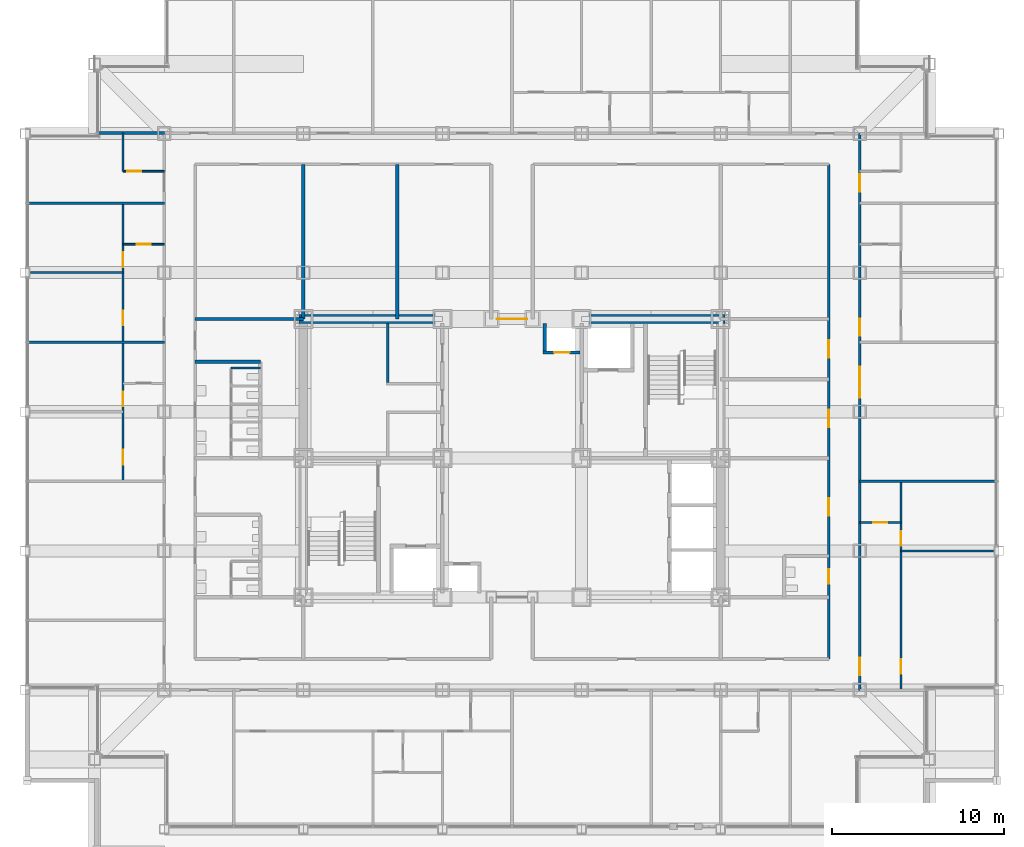
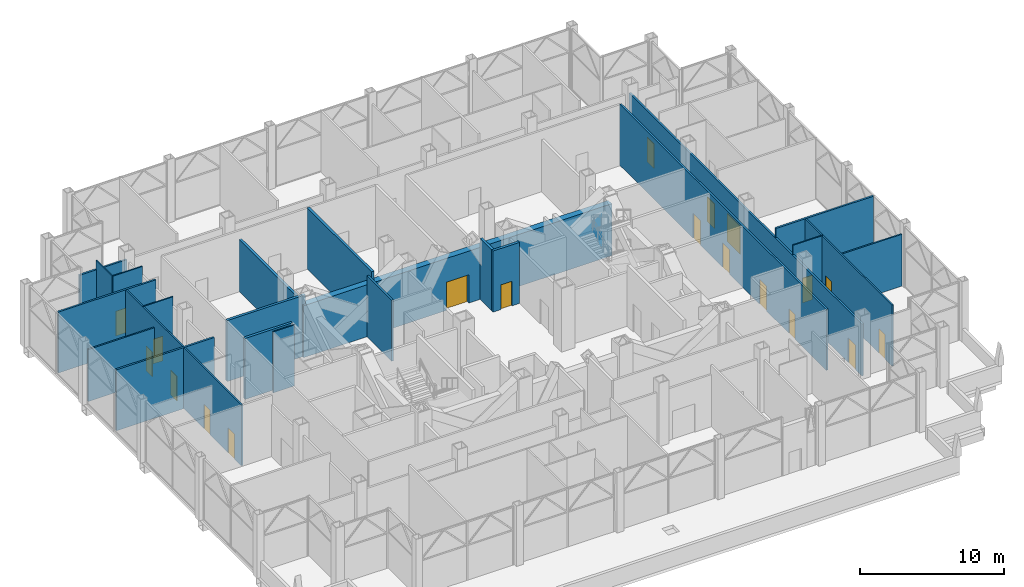
# One storey, part 24 of 29: 23 walls, 19 doors, 19 openings.
"""IFC4 building model written with IfcOpenShell, lengths in metres."""

from ifc_helpers import new_model, si_unit, direction, frame, frame_2d, origin, place, context, subcontext, project, spatial, rectangle, extrude, material, layer, layer_set, type_object, element, fill, save


model = new_model("IFC4")

# Units and contexts
model_context = context("Model", 3, precision=1e-05, world=origin(), true_north=direction((0.0, 1.0)))
body_context = subcontext(model_context, "Body", "Model", "MODEL_VIEW")
ifc_project = project(units=[si_unit("LENGTHUNIT", "METRE"), si_unit("AREAUNIT", "SQUARE_METRE"), si_unit("VOLUMEUNIT", "CUBIC_METRE"), si_unit("PLANEANGLEUNIT", "RADIAN"), si_unit("MASSUNIT", "GRAM", prefix="KILO")], contexts=[model_context])

# Site, building, storey
site_placement = place(None, origin())
site = spatial("IfcSite", under=ifc_project, at=site_placement, CompositionType="ELEMENT")
building_placement = place(site_placement, origin())
building = spatial("IfcBuilding", under=site, at=building_placement, Name="Kopane Lantern Tower", CompositionType="ELEMENT")
storey_placement = place(building_placement, frame((0.0, 0.0, 165.0)))
storey = spatial("IfcBuildingStorey", under=building, at=storey_placement, Name="L42", CompositionType="ELEMENT", Elevation=165.0)

# Wall, openings, doors
ifc_material_1 = material(Name="Gypsum board on steel studs", Category="steel")
ifc_layer_1 = layer(ifc_material_1, 0.1201171875)
ifc_layer_set_1 = layer_set([ifc_layer_1], Name="APARTMENT INTERNAL WALL 120")
wall_type_1 = type_object("IfcWallType", Name="APARTMENT INTERNAL WALL 120", PredefinedType="PARTITIONING", material=ifc_layer_set_1)
wall_1_placement = place(storey_placement, frame((5.699951171875, 31.050048828125, 0.0), z_axis=(0.0, 0.0, 1.0), x_axis=(0.0, 1.0, 0.0)))
wall_1 = element("IfcWall", 1, at=wall_1_placement, inside=storey, type_object=wall_type_1, Name="Apartment Internal Wall 120 L42", PredefinedType="PARTITIONING", context=body_context, shape_type="SweptSolid", body=[
    extrude(rectangle(XDim=16.199951171875, YDim=0.1201171875, at=frame_2d((8.10009765625, 0.0))), origin(), (0.0, 0.0, 1.0), 5.18994140625),
])
opening_1_placement = place(wall_1_placement, frame((0.97509765625, 0.0, 0.0)))
opening_1 = element("IfcOpeningElement", 2, at=opening_1_placement, cuts=wall_1, Name="Opening L42-042", PredefinedType="OPENING", context=body_context, shape_type="SweptSolid", body=[
    extrude(rectangle(XDim=0.85009765625, YDim=2.10009765625, at=frame_2d((0.425048828125, 1.050048828125))), frame((0.0, 0.070068359375, 0.0), z_axis=(0.0, -1.0, 0.0), x_axis=(1.0, 0.0, 0.0)), (0.0, 0.0, 1.0), 0.14013671875),
])
opening_2_placement = place(wall_1_placement, frame((4.375, 0.0, 0.0)))
opening_2 = element("IfcOpeningElement", 3, at=opening_2_placement, cuts=wall_1, Name="Opening L42-043", PredefinedType="OPENING", context=body_context, shape_type="SweptSolid", body=[
    extrude(rectangle(XDim=0.85009765625, YDim=2.10009765625, at=frame_2d((0.425048828125, 1.050048828125))), frame((0.0, 0.070068359375, 0.0), z_axis=(0.0, -1.0, 0.0), x_axis=(1.0, 0.0, 0.0)), (0.0, 0.0, 1.0), 0.14013671875),
])
opening_3_placement = place(wall_1_placement, frame((9.074951171875, 0.0, 0.0)))
opening_3 = element("IfcOpeningElement", 4, at=opening_3_placement, cuts=wall_1, Name="Opening L42-046", PredefinedType="OPENING", context=body_context, shape_type="SweptSolid", body=[
    extrude(rectangle(XDim=0.85009765625, YDim=2.10009765625, at=frame_2d((0.425048828125, 1.050048828125))), frame((0.0, 0.070068359375, 0.0), z_axis=(0.0, -1.0, 0.0), x_axis=(1.0, 0.0, 0.0)), (0.0, 0.0, 1.0), 0.14013671875),
])
opening_4_placement = place(wall_1_placement, frame((12.47509765625, 0.0, 0.0)))
opening_4 = element("IfcOpeningElement", 5, at=opening_4_placement, cuts=wall_1, Name="Opening L42-047", PredefinedType="OPENING", context=body_context, shape_type="SweptSolid", body=[
    extrude(rectangle(XDim=0.85009765625, YDim=2.10009765625, at=frame_2d((0.425048828125, 1.050048828125))), frame((0.0, 0.070068359375, 0.0), z_axis=(0.0, -1.0, 0.0), x_axis=(1.0, 0.0, 0.0)), (0.0, 0.0, 1.0), 0.14013671875),
])
ifc_material_2 = material(Name="Timber door set", Category="wood")
door_type_1 = type_object("IfcDoorType", Name="DOOR D4 850x2100", OperationType="SINGLE_SWING_LEFT", PredefinedType="DOOR", material=ifc_material_2)
door_1_placement = place(opening_1_placement, origin())
door_1 = element("IfcDoor", 6, at=door_1_placement, inside=storey, type_object=door_type_1, Name="Door L42-042", OperationType="SINGLE_SWING_RIGHT", OverallHeight=2.10009765625, OverallWidth=0.85009765625, PredefinedType="DOOR", context=body_context, shape_type="SweptSolid", body=[
    extrude(rectangle(XDim=0.85009765625, YDim=2.10009765625, at=frame_2d((0.425048828125, 1.050048828125))), frame((0.0, 0.02490234375, 0.0), z_axis=(0.0, -1.0, 0.0), x_axis=(1.0, 0.0, 0.0)), (0.0, 0.0, 1.0), 0.050048828125),
])
fill(opening_1, door_1)
door_2_placement = place(opening_2_placement, origin())
door_2 = element("IfcDoor", 7, at=door_2_placement, inside=storey, type_object=door_type_1, Name="Door L42-043", OperationType="SINGLE_SWING_LEFT", OverallHeight=2.10009765625, OverallWidth=0.85009765625, PredefinedType="DOOR", context=body_context, shape_type="SweptSolid", body=[
    extrude(rectangle(XDim=0.85009765625, YDim=2.10009765625, at=frame_2d((0.425048828125, 1.050048828125))), frame((0.0, 0.02490234375, 0.0), z_axis=(0.0, -1.0, 0.0), x_axis=(1.0, 0.0, 0.0)), (0.0, 0.0, 1.0), 0.050048828125),
])
fill(opening_2, door_2)
door_3_placement = place(opening_3_placement, origin())
door_3 = element("IfcDoor", 8, at=door_3_placement, inside=storey, type_object=door_type_1, Name="Door L42-046", OperationType="SINGLE_SWING_RIGHT", OverallHeight=2.10009765625, OverallWidth=0.85009765625, PredefinedType="DOOR", context=body_context, shape_type="SweptSolid", body=[
    extrude(rectangle(XDim=0.85009765625, YDim=2.10009765625, at=frame_2d((0.425048828125, 1.050048828125))), frame((0.0, 0.02490234375, 0.0), z_axis=(0.0, -1.0, 0.0), x_axis=(1.0, 0.0, 0.0)), (0.0, 0.0, 1.0), 0.050048828125),
])
fill(opening_3, door_3)
door_4_placement = place(opening_4_placement, origin())
door_4 = element("IfcDoor", 9, at=door_4_placement, inside=storey, type_object=door_type_1, Name="Door L42-047", OperationType="SINGLE_SWING_LEFT", OverallHeight=2.10009765625, OverallWidth=0.85009765625, PredefinedType="DOOR", context=body_context, shape_type="SweptSolid", body=[
    extrude(rectangle(XDim=0.85009765625, YDim=2.10009765625, at=frame_2d((0.425048828125, 1.050048828125))), frame((0.0, 0.02490234375, 0.0), z_axis=(0.0, -1.0, 0.0), x_axis=(1.0, 0.0, 0.0)), (0.0, 0.0, 1.0), 0.050048828125),
])
fill(opening_4, door_4)

# Wall
wall_2_placement = place(storey_placement, frame((5.699951171875, 43.199951171875, 0.0), z_axis=(0.0, 0.0, 1.0), x_axis=(-1.0, 0.0, 0.0)))
element("IfcWall", 10, at=wall_2_placement, inside=storey, type_object=wall_type_1, Name="Apartment Internal Wall 120 L42", PredefinedType="PARTITIONING", context=body_context, shape_type="SweptSolid", body=[
    extrude(rectangle(XDim=5.39990234375, YDim=0.1201171875, at=frame_2d((2.699951171875, 0.0))), origin(), (0.0, 0.0, 1.0), 4.420166015625),
])

# Wall, openings, doors
wall_3_placement = place(storey_placement, frame((51.0, 18.8701171875, 0.0), z_axis=(0.0, 0.0, 1.0), x_axis=(0.0, 1.0, 0.0)))
wall_3 = element("IfcWall", 11, at=wall_3_placement, inside=storey, type_object=wall_type_1, Name="Apartment Internal Wall 120 L42", PredefinedType="PARTITIONING", context=body_context, shape_type="SweptSolid", body=[
    extrude(rectangle(XDim=12.179931640625, YDim=0.1201171875, at=frame_2d((6.08984375, 0.0))), origin(), (0.0, 0.0, 1.0), 5.18994140625),
])
opening_5_placement = place(wall_3_placement, frame((0.97509765625, 0.0, 0.0)))
opening_5 = element("IfcOpeningElement", 12, at=opening_5_placement, cuts=wall_3, Name="Opening L42-052", PredefinedType="OPENING", context=body_context, shape_type="SweptSolid", body=[
    extrude(rectangle(XDim=0.85009765625, YDim=2.10009765625, at=frame_2d((0.425048828125, 1.050048828125))), frame((0.0, 0.070068359375, 0.0), z_axis=(0.0, -1.0, 0.0), x_axis=(1.0, 0.0, 0.0)), (0.0, 0.0, 1.0), 0.14013671875),
])
opening_6_placement = place(wall_3_placement, frame((8.425048828125, 0.0, 0.0)))
opening_6 = element("IfcOpeningElement", 13, at=opening_6_placement, cuts=wall_3, Name="Opening L42-053", PredefinedType="OPENING", context=body_context, shape_type="SweptSolid", body=[
    extrude(rectangle(XDim=0.85009765625, YDim=2.10009765625, at=frame_2d((0.425048828125, 1.050048828125))), frame((0.0, 0.070068359375, 0.0), z_axis=(0.0, -1.0, 0.0), x_axis=(1.0, 0.0, 0.0)), (0.0, 0.0, 1.0), 0.14013671875),
])
door_5_placement = place(opening_5_placement, origin())
door_5 = element("IfcDoor", 14, at=door_5_placement, inside=storey, type_object=door_type_1, Name="Door L42-052", OperationType="SINGLE_SWING_LEFT", OverallHeight=2.10009765625, OverallWidth=0.85009765625, PredefinedType="DOOR", context=body_context, shape_type="SweptSolid", body=[
    extrude(rectangle(XDim=0.85009765625, YDim=2.10009765625, at=frame_2d((0.425048828125, 1.050048828125))), frame((0.0, 0.02490234375, 0.0), z_axis=(0.0, -1.0, 0.0), x_axis=(1.0, 0.0, 0.0)), (0.0, 0.0, 1.0), 0.050048828125),
])
fill(opening_5, door_5)
door_6_placement = place(opening_6_placement, origin())
door_6 = element("IfcDoor", 15, at=door_6_placement, inside=storey, type_object=door_type_1, Name="Door L42-053", OperationType="SINGLE_SWING_RIGHT", OverallHeight=2.10009765625, OverallWidth=0.85009765625, PredefinedType="DOOR", context=body_context, shape_type="SweptSolid", body=[
    extrude(rectangle(XDim=0.85009765625, YDim=2.10009765625, at=frame_2d((0.425048828125, 1.050048828125))), frame((0.0, 0.02490234375, 0.0), z_axis=(0.0, -1.0, 0.0), x_axis=(1.0, 0.0, 0.0)), (0.0, 0.0, 1.0), 0.050048828125),
])
fill(opening_6, door_6)

# Wall
wall_4_placement = place(storey_placement, frame((51.0, 27.0, 0.0), z_axis=(0.0, 0.0, 1.0), x_axis=(1.0, 0.0, 0.0)))
element("IfcWall", 16, at=wall_4_placement, inside=storey, type_object=wall_type_1, Name="Apartment Internal Wall 120 L42", PredefinedType="PARTITIONING", context=body_context, shape_type="SweptSolid", body=[
    extrude(rectangle(XDim=5.39990234375, YDim=0.1201171875, at=frame_2d((2.699951171875, 0.0))), origin(), (0.0, 0.0, 1.0), 4.420166015625),
])

# Wall, opening, door
ifc_material_3 = material(Name="Moisture-resistant board on steel studs", Category="steel")
ifc_layer_2 = layer(ifc_material_3, 0.10009765625)
ifc_layer_set_2 = layer_set([ifc_layer_2], Name="BATHROOM WALL 100")
wall_type_2 = type_object("IfcWallType", Name="BATHROOM WALL 100", PredefinedType="PARTITIONING", material=ifc_layer_set_2)
wall_5_placement = place(storey_placement, frame((8.10009765625, 44.85009765625, 0.0), z_axis=(0.0, 0.0, 1.0), x_axis=(-1.0, 0.0, 0.0)))
wall_5 = element("IfcWall", 17, at=wall_5_placement, inside=storey, type_object=wall_type_2, Name="Bathroom Wall 100 L42", PredefinedType="PARTITIONING", context=body_context, shape_type="SweptSolid", body=[
    extrude(rectangle(XDim=2.400146484375, YDim=0.10009765625, at=frame_2d((1.2001953125, 0.0))), origin(), (0.0, 0.0, 1.0), 5.18994140625),
])
opening_7_placement = place(wall_5_placement, frame((0.800048828125, 0.0, 0.0)))
opening_7 = element("IfcOpeningElement", 18, at=opening_7_placement, cuts=wall_5, Name="Opening L42-044", PredefinedType="OPENING", context=body_context, shape_type="SweptSolid", body=[
    extrude(rectangle(XDim=0.800048828125, YDim=2.10009765625, at=frame_2d((0.39990234375, 1.050048828125))), frame((0.0, 0.06005859375, 0.0), z_axis=(0.0, -1.0, 0.0), x_axis=(1.0, 0.0, 0.0)), (0.0, 0.0, 1.0), 0.1201171875),
])
ifc_material_4 = material(Name="Timber door set", Category="wood")
door_type_2 = type_object("IfcDoorType", Name="DOOR D2 800x2100", OperationType="SINGLE_SWING_LEFT", PredefinedType="DOOR", material=ifc_material_4)
door_7_placement = place(opening_7_placement, origin())
door_7 = element("IfcDoor", 19, at=door_7_placement, inside=storey, type_object=door_type_2, Name="Door L42-044", OperationType="SINGLE_SWING_RIGHT", OverallHeight=2.10009765625, OverallWidth=0.800048828125, PredefinedType="DOOR", context=body_context, shape_type="SweptSolid", body=[
    extrude(rectangle(XDim=0.800048828125, YDim=2.10009765625, at=frame_2d((0.39990234375, 1.050048828125))), frame((0.0, 0.02490234375, 0.0), z_axis=(0.0, -1.0, 0.0), x_axis=(1.0, 0.0, 0.0)), (0.0, 0.0, 1.0), 0.050048828125),
])
fill(opening_7, door_7)

# Wall
wall_6_placement = place(storey_placement, frame((5.699951171875, 49.10009765625, 0.0), z_axis=(0.0, 0.0, 1.0), x_axis=(0.0, 1.0, 0.0)))
element("IfcWall", 20, at=wall_6_placement, inside=storey, type_object=wall_type_2, Name="Bathroom Wall 100 L42", PredefinedType="PARTITIONING", context=body_context, shape_type="SweptSolid", body=[
    extrude(rectangle(XDim=2.22998046875, YDim=0.10009765625, at=frame_2d((1.114990234375, 0.0))), origin(), (0.0, 0.0, 1.0), 5.18994140625),
])

# Wall, opening, door
wall_7_placement = place(storey_placement, frame((8.10009765625, 49.10009765625, 0.0), z_axis=(0.0, 0.0, 1.0), x_axis=(-1.0, 0.0, 0.0)))
wall_7 = element("IfcWall", 21, at=wall_7_placement, inside=storey, type_object=wall_type_2, Name="Bathroom Wall 100 L42", PredefinedType="PARTITIONING", context=body_context, shape_type="SweptSolid", body=[
    extrude(rectangle(XDim=2.400146484375, YDim=0.10009765625, at=frame_2d((1.2001953125, 0.0))), origin(), (0.0, 0.0, 1.0), 5.18994140625),
])
opening_8_placement = place(wall_7_placement, frame((1.35009765625, 0.0, 0.0)))
opening_8 = element("IfcOpeningElement", 22, at=opening_8_placement, cuts=wall_7, Name="Opening L42-048", PredefinedType="OPENING", context=body_context, shape_type="SweptSolid", body=[
    extrude(rectangle(XDim=0.800048828125, YDim=2.10009765625, at=frame_2d((0.39990234375, 1.050048828125))), frame((0.0, 0.06005859375, 0.0), z_axis=(0.0, -1.0, 0.0), x_axis=(1.0, 0.0, 0.0)), (0.0, 0.0, 1.0), 0.1201171875),
])
door_8_placement = place(opening_8_placement, origin())
door_8 = element("IfcDoor", 23, at=door_8_placement, inside=storey, type_object=door_type_2, Name="Door L42-048", OperationType="SINGLE_SWING_LEFT", OverallHeight=2.10009765625, OverallWidth=0.800048828125, PredefinedType="DOOR", context=body_context, shape_type="SweptSolid", body=[
    extrude(rectangle(XDim=0.800048828125, YDim=2.10009765625, at=frame_2d((0.39990234375, 1.050048828125))), frame((0.0, 0.02490234375, 0.0), z_axis=(0.0, -1.0, 0.0), x_axis=(1.0, 0.0, 0.0)), (0.0, 0.0, 1.0), 0.050048828125),
])
fill(opening_8, door_8)

wall_8_placement = place(storey_placement, frame((48.60009765625, 28.64990234375, 0.0), z_axis=(0.0, 0.0, 1.0), x_axis=(1.0, 0.0, 0.0)))
wall_8 = element("IfcWall", 24, at=wall_8_placement, inside=storey, type_object=wall_type_2, Name="Bathroom Wall 100 L42", PredefinedType="PARTITIONING", context=body_context, shape_type="SweptSolid", body=[
    extrude(rectangle(XDim=2.39990234375, YDim=0.10009765625, at=frame_2d((1.199951171875, 0.0))), origin(), (0.0, 0.0, 1.0), 5.18994140625),
])
opening_9_placement = place(wall_8_placement, frame((0.800048828125, 0.0, 0.0)))
opening_9 = element("IfcOpeningElement", 25, at=opening_9_placement, cuts=wall_8, Name="Opening L42-050", PredefinedType="OPENING", context=body_context, shape_type="SweptSolid", body=[
    extrude(rectangle(XDim=0.800048828125, YDim=2.10009765625, at=frame_2d((0.39990234375, 1.050048828125))), frame((0.0, 0.06005859375, 0.0), z_axis=(0.0, -1.0, 0.0), x_axis=(1.0, 0.0, 0.0)), (0.0, 0.0, 1.0), 0.1201171875),
])
door_9_placement = place(opening_9_placement, origin())
door_9 = element("IfcDoor", 26, at=door_9_placement, inside=storey, type_object=door_type_2, Name="Door L42-050", OperationType="SINGLE_SWING_LEFT", OverallHeight=2.10009765625, OverallWidth=0.800048828125, PredefinedType="DOOR", context=body_context, shape_type="SweptSolid", body=[
    extrude(rectangle(XDim=0.800048828125, YDim=2.10009765625, at=frame_2d((0.39990234375, 1.050048828125))), frame((0.0, 0.02490234375, 0.0), z_axis=(0.0, -1.0, 0.0), x_axis=(1.0, 0.0, 0.0)), (0.0, 0.0, 1.0), 0.050048828125),
])
fill(opening_9, door_9)

# Wall
wall_9_placement = place(storey_placement, frame((12.0, 37.64990234375, 0.0), z_axis=(0.0, 0.0, 1.0), x_axis=(1.0, 0.0, 0.0)))
element("IfcWall", 27, at=wall_9_placement, inside=storey, type_object=wall_type_2, Name="Bathroom Wall 100 L42", PredefinedType="PARTITIONING", context=body_context, shape_type="SweptSolid", body=[
    extrude(rectangle(XDim=1.699951171875, YDim=0.10009765625, at=frame_2d((0.85009765625, 0.0))), origin(), (0.0, 0.0, 1.0), 5.18994140625),
])

# Wall, opening, door
ifc_material_5 = material(Name="Gypsum shaft wall EI 120", Category="gypsum")
ifc_layer_3 = layer(ifc_material_5, 0.5)
ifc_layer_set_3 = layer_set([ifc_layer_3], Name="CORE PERIMETER WALL 500 EI 120")
wall_type_3 = type_object("IfcWallType", Name="CORE PERIMETER WALL 500 EI 120", PredefinedType="SOLIDWALL", material=ifc_layer_set_3)
wall_10_placement = place(storey_placement, frame((15.949951171875, 40.5, 0.0), z_axis=(0.0, 0.0, 1.0), x_axis=(1.0, 0.0, 0.0)))
wall_10 = element("IfcWall", 28, at=wall_10_placement, inside=storey, type_object=wall_type_3, Name="Core shaft wall L42 PN", PredefinedType="SOLIDWALL", context=body_context, shape_type="SweptSolid", body=[
    extrude(rectangle(XDim=24.800048828125, YDim=0.5, at=frame_2d((12.39990234375, 0.0))), origin(), (0.0, 0.0, 1.0), 4.420166015625),
])
opening_10_placement = place(wall_10_placement, frame((11.5, 0.0, 0.0)))
opening_10 = element("IfcOpeningElement", 29, at=opening_10_placement, cuts=wall_10, Name="Opening 42.CE-N", PredefinedType="OPENING", context=body_context, shape_type="SweptSolid", body=[
    extrude(rectangle(XDim=1.800048828125, YDim=2.39990234375, at=frame_2d((0.89990234375, 1.199951171875))), frame((0.0, 0.260009765625, 0.0), z_axis=(0.0, -1.0, 0.0), x_axis=(1.0, 0.0, 0.0)), (0.0, 0.0, 1.0), 0.52001953125),
])
ifc_material_6 = material(Name="Steel door set", Category="steel")
door_type_3 = type_object("IfcDoorType", Name="CORE ENTRY DOOR 1800x2400 FD60S", OperationType="DOUBLE_DOOR_SINGLE_SWING", PredefinedType="DOOR", material=ifc_material_6)
door_10_placement = place(opening_10_placement, origin())
door_10 = element("IfcDoor", 30, at=door_10_placement, inside=storey, type_object=door_type_3, Name="Core entry door L42 north", OperationType="DOUBLE_DOOR_SINGLE_SWING", OverallHeight=2.39990234375, OverallWidth=1.800048828125, PredefinedType="DOOR", context=body_context, shape_type="SweptSolid", body=[
    extrude(rectangle(XDim=1.800048828125, YDim=2.39990234375, at=frame_2d((0.89990234375, 1.199951171875))), frame((0.0, 0.02490234375, 0.0), z_axis=(0.0, -1.0, 0.0), x_axis=(1.0, 0.0, 0.0)), (0.0, 0.0, 1.0), 0.050048828125),
])
fill(opening_10, door_10)

# Wall
ifc_material_7 = material(Name="Gypsum partition EI 60", Category="gypsum")
ifc_layer_4 = layer(ifc_material_7, 0.14990234375)
ifc_layer_set_4 = layer_set([ifc_layer_4], Name="CORE ROOM PARTITION 150 EI 60")
wall_type_4 = type_object("IfcWallType", Name="CORE ROOM PARTITION 150 EI 60", PredefinedType="PARTITIONING", material=ifc_layer_set_4)
wall_11_placement = place(storey_placement, frame((21.125, 36.800048828125, 0.0), z_axis=(0.0, 0.0, 1.0), x_axis=(0.0, 1.0, 0.0)))
element("IfcWall", 31, at=wall_11_placement, inside=storey, type_object=wall_type_4, Name="Core room partition L42 WWB1", PredefinedType="PARTITIONING", context=body_context, shape_type="SweptSolid", body=[
    extrude(rectangle(XDim=3.449951171875, YDim=0.14990234375, at=frame_2d((1.72509765625, 0.0))), origin(), (0.0, 0.0, 1.0), 5.18994140625),
])

# Wall, openings, doors
ifc_material_8 = material(Name="Gypsum board on steel studs", Category="steel")
ifc_layer_5 = layer(ifc_material_8, 0.14990234375)
ifc_layer_set_5 = layer_set([ifc_layer_5], Name="CORRIDOR WALL 150 EI 60")
wall_type_5 = type_object("IfcWallType", Name="CORRIDOR WALL 150 EI 60", PredefinedType="PARTITIONING", material=ifc_layer_set_5)
wall_12_placement = place(storey_placement, frame((48.60009765625, 18.8701171875, 0.0), z_axis=(0.0, 0.0, 1.0), x_axis=(0.0, 1.0, 0.0)))
wall_12 = element("IfcWall", 32, at=wall_12_placement, inside=storey, type_object=wall_type_5, Name="Corridor Wall 150 Ei 60 L42", PredefinedType="PARTITIONING", context=body_context, shape_type="SweptSolid", body=[
    extrude(rectangle(XDim=32.429931640625, YDim=0.14990234375, at=frame_2d((16.21484375, 0.0))), origin(), (0.0, 0.0, 1.0), 4.420166015625),
])
opening_11_placement = place(wall_12_placement, frame((0.89990234375, 0.0, 0.0)))
opening_11 = element("IfcOpeningElement", 33, at=opening_11_placement, cuts=wall_12, Name="Opening L42-051", PredefinedType="OPENING", context=body_context, shape_type="SweptSolid", body=[
    extrude(rectangle(XDim=1.0, YDim=2.10009765625, at=frame_2d((0.5, 1.050048828125))), frame((0.0, 0.0849609375, 0.0), z_axis=(0.0, -1.0, 0.0), x_axis=(1.0, 0.0, 0.0)), (0.0, 0.0, 1.0), 0.169921875),
])
opening_12_placement = place(wall_12_placement, frame((17.050048828125, 0.0, 0.0)))
opening_12 = element("IfcOpeningElement", 34, at=opening_12_placement, cuts=wall_12, Name="Opening L42-054", PredefinedType="OPENING", context=body_context, shape_type="SweptSolid", body=[
    extrude(rectangle(XDim=1.800048828125, YDim=2.39990234375, at=frame_2d((0.89990234375, 1.199951171875))), frame((0.0, 0.0849609375, 0.0), z_axis=(0.0, -1.0, 0.0), x_axis=(1.0, 0.0, 0.0)), (0.0, 0.0, 1.0), 0.169921875),
])
opening_13_placement = place(wall_12_placement, frame((20.64990234375, 0.0, 0.0)))
opening_13 = element("IfcOpeningElement", 35, at=opening_13_placement, cuts=wall_12, Name="Opening L42-056", PredefinedType="OPENING", context=body_context, shape_type="SweptSolid", body=[
    extrude(rectangle(XDim=1.0, YDim=2.10009765625, at=frame_2d((0.5, 1.050048828125))), frame((0.0, 0.0849609375, 0.0), z_axis=(0.0, -1.0, 0.0), x_axis=(1.0, 0.0, 0.0)), (0.0, 0.0, 1.0), 0.169921875),
])
opening_14_placement = place(wall_12_placement, frame((29.050048828125, 0.0, 0.0)))
opening_14 = element("IfcOpeningElement", 36, at=opening_14_placement, cuts=wall_12, Name="Opening L42-060", PredefinedType="OPENING", context=body_context, shape_type="SweptSolid", body=[
    extrude(rectangle(XDim=1.0, YDim=2.10009765625, at=frame_2d((0.5, 1.050048828125))), frame((0.0, 0.0849609375, 0.0), z_axis=(0.0, -1.0, 0.0), x_axis=(1.0, 0.0, 0.0)), (0.0, 0.0, 1.0), 0.169921875),
])
ifc_material_9 = material(Name="Steel door set", Category="steel")
door_type_4 = type_object("IfcDoorType", Name="DOOR D3 1000x2100 FD30S", OperationType="SINGLE_SWING_LEFT", PredefinedType="DOOR", material=ifc_material_9)
door_11_placement = place(opening_11_placement, origin())
door_11 = element("IfcDoor", 37, at=door_11_placement, inside=storey, type_object=door_type_4, Name="Door L42-051", OperationType="SINGLE_SWING_RIGHT", OverallHeight=2.10009765625, OverallWidth=1.0, PredefinedType="DOOR", context=body_context, shape_type="SweptSolid", body=[
    extrude(rectangle(XDim=1.0, YDim=2.10009765625, at=frame_2d((0.5, 1.050048828125))), frame((0.0, 0.02490234375, 0.0), z_axis=(0.0, -1.0, 0.0), x_axis=(1.0, 0.0, 0.0)), (0.0, 0.0, 1.0), 0.050048828125),
])
fill(opening_11, door_11)
door_12_placement = place(opening_13_placement, origin())
door_12 = element("IfcDoor", 38, at=door_12_placement, inside=storey, type_object=door_type_4, Name="Door L42-056", OperationType="SINGLE_SWING_RIGHT", OverallHeight=2.10009765625, OverallWidth=1.0, PredefinedType="DOOR", context=body_context, shape_type="SweptSolid", body=[
    extrude(rectangle(XDim=1.0, YDim=2.10009765625, at=frame_2d((0.5, 1.050048828125))), frame((0.0, 0.02490234375, 0.0), z_axis=(0.0, -1.0, 0.0), x_axis=(1.0, 0.0, 0.0)), (0.0, 0.0, 1.0), 0.050048828125),
])
fill(opening_13, door_12)
door_13_placement = place(opening_14_placement, origin())
door_13 = element("IfcDoor", 39, at=door_13_placement, inside=storey, type_object=door_type_4, Name="Door L42-060", OperationType="SINGLE_SWING_LEFT", OverallHeight=2.10009765625, OverallWidth=1.0, PredefinedType="DOOR", context=body_context, shape_type="SweptSolid", body=[
    extrude(rectangle(XDim=1.0, YDim=2.10009765625, at=frame_2d((0.5, 1.050048828125))), frame((0.0, 0.02490234375, 0.0), z_axis=(0.0, -1.0, 0.0), x_axis=(1.0, 0.0, 0.0)), (0.0, 0.0, 1.0), 0.050048828125),
])
fill(opening_14, door_13)
ifc_material_10 = material(Name="Steel door set", Category="steel")
door_type_5 = type_object("IfcDoorType", Name="DOOR D6 1800x2400 FD30S", OperationType="SINGLE_SWING_LEFT", PredefinedType="DOOR", material=ifc_material_10)
door_14_placement = place(opening_12_placement, origin())
door_14 = element("IfcDoor", 40, at=door_14_placement, inside=storey, type_object=door_type_5, Name="Door L42-054", OperationType="DOUBLE_DOOR_SINGLE_SWING", OverallHeight=2.39990234375, OverallWidth=1.800048828125, PredefinedType="DOOR", context=body_context, shape_type="SweptSolid", body=[
    extrude(rectangle(XDim=1.800048828125, YDim=2.39990234375, at=frame_2d((0.89990234375, 1.199951171875))), frame((0.0, 0.02490234375, 0.0), z_axis=(0.0, -1.0, 0.0), x_axis=(1.0, 0.0, 0.0)), (0.0, 0.0, 1.0), 0.050048828125),
])
fill(opening_12, door_14)

wall_13_placement = place(storey_placement, frame((46.800048828125, 20.699951171875, 0.0), z_axis=(0.0, 0.0, 1.0), x_axis=(0.0, 1.0, 0.0)))
wall_13 = element("IfcWall", 41, at=wall_13_placement, inside=storey, type_object=wall_type_5, Name="Corridor Wall 150 Ei 60 L42", PredefinedType="PARTITIONING", context=body_context, shape_type="SweptSolid", body=[
    extrude(rectangle(XDim=28.800048828125, YDim=0.14990234375, at=frame_2d((14.39990234375, 0.0))), origin(), (0.0, 0.0, 1.0), 5.18994140625),
])
opening_15_placement = place(wall_13_placement, frame((4.375, 0.0, 0.0)))
opening_15 = element("IfcOpeningElement", 42, at=opening_15_placement, cuts=wall_13, Name="Opening L42-005", PredefinedType="OPENING", context=body_context, shape_type="SweptSolid", body=[
    extrude(rectangle(XDim=0.85009765625, YDim=2.10009765625, at=frame_2d((0.425048828125, 1.050048828125))), frame((0.0, 0.0849609375, 0.0), z_axis=(0.0, -1.0, 0.0), x_axis=(1.0, 0.0, 0.0)), (0.0, 0.0, 1.0), 0.169921875),
])
opening_16_placement = place(wall_13_placement, frame((8.35009765625, 0.0, 0.0)))
opening_16 = element("IfcOpeningElement", 43, at=opening_16_placement, cuts=wall_13, Name="Opening L42-006", PredefinedType="OPENING", context=body_context, shape_type="SweptSolid", body=[
    extrude(rectangle(XDim=1.0, YDim=2.10009765625, at=frame_2d((0.5, 1.050048828125))), frame((0.0, 0.0849609375, 0.0), z_axis=(0.0, -1.0, 0.0), x_axis=(1.0, 0.0, 0.0)), (0.0, 0.0, 1.0), 0.169921875),
])
opening_17_placement = place(wall_13_placement, frame((13.501708984375, 0.0, 0.0)))
opening_17 = element("IfcOpeningElement", 44, at=opening_17_placement, cuts=wall_13, Name="Opening L42-007", PredefinedType="OPENING", context=body_context, shape_type="SweptSolid", body=[
    extrude(rectangle(XDim=1.0, YDim=2.10009765625, at=frame_2d((0.5, 1.050048828125))), frame((0.0, 0.0849609375, 0.0), z_axis=(0.0, -1.0, 0.0), x_axis=(1.0, 0.0, 0.0)), (0.0, 0.0, 1.0), 0.169921875),
])
opening_18_placement = place(wall_13_placement, frame((17.551513671875, 0.0, 0.0)))
opening_18 = element("IfcOpeningElement", 45, at=opening_18_placement, cuts=wall_13, Name="Opening L42-008", PredefinedType="OPENING", context=body_context, shape_type="SweptSolid", body=[
    extrude(rectangle(XDim=1.0, YDim=2.10009765625, at=frame_2d((0.5, 1.050048828125))), frame((0.0, 0.0849609375, 0.0), z_axis=(0.0, -1.0, 0.0), x_axis=(1.0, 0.0, 0.0)), (0.0, 0.0, 1.0), 0.169921875),
])
door_15_placement = place(opening_15_placement, origin())
door_15 = element("IfcDoor", 46, at=door_15_placement, inside=storey, type_object=door_type_1, Name="Door L42-005", OperationType="SINGLE_SWING_LEFT", OverallHeight=2.10009765625, OverallWidth=0.85009765625, PredefinedType="DOOR", context=body_context, shape_type="SweptSolid", body=[
    extrude(rectangle(XDim=0.85009765625, YDim=2.10009765625, at=frame_2d((0.425048828125, 1.050048828125))), frame((0.0, 0.02490234375, 0.0), z_axis=(0.0, -1.0, 0.0), x_axis=(1.0, 0.0, 0.0)), (0.0, 0.0, 1.0), 0.050048828125),
])
fill(opening_15, door_15)
ifc_material_11 = material(Name="Steel door set", Category="steel")
door_type_6 = type_object("IfcDoorType", Name="DOOR D5 1000x2100 FD60", OperationType="SINGLE_SWING_LEFT", PredefinedType="DOOR", material=ifc_material_11)
door_16_placement = place(opening_16_placement, origin())
door_16 = element("IfcDoor", 47, at=door_16_placement, inside=storey, type_object=door_type_6, Name="Door L42-006", OperationType="SINGLE_SWING_RIGHT", OverallHeight=2.10009765625, OverallWidth=1.0, PredefinedType="DOOR", context=body_context, shape_type="SweptSolid", body=[
    extrude(rectangle(XDim=1.0, YDim=2.10009765625, at=frame_2d((0.5, 1.050048828125))), frame((0.0, 0.02490234375, 0.0), z_axis=(0.0, -1.0, 0.0), x_axis=(1.0, 0.0, 0.0)), (0.0, 0.0, 1.0), 0.050048828125),
])
fill(opening_16, door_16)
door_17_placement = place(opening_17_placement, origin())
door_17 = element("IfcDoor", 48, at=door_17_placement, inside=storey, type_object=door_type_6, Name="Door L42-007", OperationType="SINGLE_SWING_LEFT", OverallHeight=2.10009765625, OverallWidth=1.0, PredefinedType="DOOR", context=body_context, shape_type="SweptSolid", body=[
    extrude(rectangle(XDim=1.0, YDim=2.10009765625, at=frame_2d((0.5, 1.050048828125))), frame((0.0, 0.02490234375, 0.0), z_axis=(0.0, -1.0, 0.0), x_axis=(1.0, 0.0, 0.0)), (0.0, 0.0, 1.0), 0.050048828125),
])
fill(opening_17, door_17)
door_18_placement = place(opening_18_placement, origin())
door_18 = element("IfcDoor", 49, at=door_18_placement, inside=storey, type_object=door_type_6, Name="Door L42-008", OperationType="SINGLE_SWING_RIGHT", OverallHeight=2.10009765625, OverallWidth=1.0, PredefinedType="DOOR", context=body_context, shape_type="SweptSolid", body=[
    extrude(rectangle(XDim=1.0, YDim=2.10009765625, at=frame_2d((0.5, 1.050048828125))), frame((0.0, 0.02490234375, 0.0), z_axis=(0.0, -1.0, 0.0), x_axis=(1.0, 0.0, 0.0)), (0.0, 0.0, 1.0), 0.050048828125),
])
fill(opening_18, door_18)

# Walls
ifc_material_12 = material(Name="Gypsum board on steel studs", Category="steel")
ifc_layer_6 = layer(ifc_material_12, 0.14990234375)
ifc_layer_set_6 = layer_set([ifc_layer_6], Name="DEMISING WALL 150 EI 60")
wall_type_6 = type_object("IfcWallType", Name="DEMISING WALL 150 EI 60", PredefinedType="PARTITIONING", material=ifc_layer_set_6)
for number, where, z_axis, x_axis, name in (
    (50, (8.10009765625, 39.14990234375, 0.0), (0.0, 0.0, 1.0), (-1.0, 0.0, 0.0), "Demising Wall 150 Ei 60 L42"),
    (51, (8.10009765625, 47.25, 0.0), (0.0, 0.0, 1.0), (-1.0, 0.0, 0.0), "Demising Wall 150 Ei 60 L42"),
    (52, (48.60009765625, 31.050048828125, 0.0), (0.0, 0.0, 1.0), (1.0, 0.0, 0.0), "Demising Wall 150 Ei 60 L42"),
):
    element("IfcWall", number, at=place(storey_placement, frame(where, z_axis=z_axis, x_axis=x_axis)), inside=storey, type_object=wall_type_6, Name=name, PredefinedType="PARTITIONING", context=body_context, shape_type="SweptSolid", body=[
        extrude(rectangle(XDim=7.864501953125, YDim=0.14990234375, at=frame_2d((3.93212890625, 0.0))), origin(), (0.0, 0.0, 1.0), 5.18994140625),
    ])
wall_14_placement = place(storey_placement, frame((4.285400390625, 51.330078125, 0.0), z_axis=(0.0, 0.0, 1.0), x_axis=(1.0, 0.0, 0.0)))
element("IfcWall", 53, at=wall_14_placement, inside=storey, type_object=wall_type_6, Name="Demising Wall 150 Ei 60 L42", PredefinedType="PARTITIONING", context=body_context, shape_type="SweptSolid", body=[
    extrude(rectangle(XDim=3.814697265625, YDim=0.14990234375, at=frame_2d((1.9072265625, 0.0))), origin(), (0.0, 0.0, 1.0), 4.420166015625),
])
ifc_material_13 = material(Name="Concrete masonry", Category="masonry")
ifc_layer_7 = layer(ifc_material_13, 0.199951171875)
ifc_layer_set_7 = layer_set([ifc_layer_7], Name="PLANT ROOM WALL 200 EI 120")
wall_type_7 = type_object("IfcWallType", Name="PLANT ROOM WALL 200 EI 120", PredefinedType="SOLIDWALL", material=ifc_layer_set_7)
wall_15_placement = place(storey_placement, frame((9.89990234375, 38.0, 0.0), z_axis=(0.0, 0.0, 1.0), x_axis=(1.0, 0.0, 0.0)))
element("IfcWall", 54, at=wall_15_placement, inside=storey, type_object=wall_type_7, Name="Plant Room Wall 200 Ei 120 L42", PredefinedType="SOLIDWALL", context=body_context, shape_type="SweptSolid", body=[
    extrude(rectangle(XDim=3.800048828125, YDim=0.199951171875, at=frame_2d((1.89990234375, 0.0))), origin(), (0.0, 0.0, 1.0), 5.18994140625),
])
wall_16_placement = place(storey_placement, frame((16.199951171875, 40.5, 0.0), z_axis=(0.0, 0.0, 1.0), x_axis=(0.0, 1.0, 0.0)))
element("IfcWall", 55, at=wall_16_placement, inside=storey, type_object=wall_type_7, Name="Plant Room Wall 200 Ei 120 L42", PredefinedType="SOLIDWALL", context=body_context, shape_type="SweptSolid", body=[
    extrude(rectangle(XDim=9.0, YDim=0.199951171875, at=frame_2d((4.5, 0.0))), origin(), (0.0, 0.0, 1.0), 4.420166015625),
])
wall_17_placement = place(storey_placement, frame((21.675048828125, 49.5, 0.0), z_axis=(0.0, 0.0, 1.0), x_axis=(0.0, -1.0, 0.0)))
element("IfcWall", 56, at=wall_17_placement, inside=storey, type_object=wall_type_7, Name="Plant Room Wall 200 Ei 120 L42", PredefinedType="SOLIDWALL", context=body_context, shape_type="SweptSolid", body=[
    extrude(rectangle(XDim=9.0, YDim=0.199951171875, at=frame_2d((4.5, 0.0))), origin(), (0.0, 0.0, 1.0), 5.18994140625),
])
wall_18_placement = place(storey_placement, frame((9.89990234375, 40.5, 0.0), z_axis=(0.0, 0.0, 1.0), x_axis=(1.0, 0.0, 0.0)))
element("IfcWall", 57, at=wall_18_placement, inside=storey, type_object=wall_type_7, Name="Plant Room Wall 200 Ei 120 L42", PredefinedType="SOLIDWALL", context=body_context, shape_type="SweptSolid", body=[
    extrude(rectangle(XDim=6.300048828125, YDim=0.199951171875, at=frame_2d((3.14990234375, 0.0))), origin(), (0.0, 0.0, 1.0), 5.18994140625),
])
ifc_material_14 = material(Name="Gypsum shaft wall EI 120", Category="gypsum")
ifc_layer_8 = layer(ifc_material_14, 0.199951171875)
ifc_layer_set_8 = layer_set([ifc_layer_8], Name="SHAFT WALL 200 EI 120")
wall_type_8 = type_object("IfcWallType", Name="SHAFT WALL 200 EI 120", PredefinedType="SOLIDWALL", material=ifc_layer_set_8)
wall_19_placement = place(storey_placement, frame((30.25, 38.64990234375, 0.0), z_axis=(0.0, 0.0, 1.0), x_axis=(0.0, 1.0, 0.0)))
element("IfcWall", 58, at=wall_19_placement, inside=storey, type_object=wall_type_8, Name="Core shaft wall L42 XRS2", PredefinedType="SOLIDWALL", context=body_context, shape_type="SweptSolid", body=[
    extrude(rectangle(XDim=1.60009765625, YDim=0.199951171875, at=frame_2d((0.800048828125, 0.0))), origin(), (0.0, 0.0, 1.0), 5.18994140625),
])

# Wall, opening, door
wall_20_placement = place(storey_placement, frame((30.14990234375, 38.550048828125, 0.0), z_axis=(0.0, 0.0, 1.0), x_axis=(1.0, 0.0, 0.0)))
wall_20 = element("IfcWall", 59, at=wall_20_placement, inside=storey, type_object=wall_type_8, Name="Core shaft wall L42 YRS2", PredefinedType="SOLIDWALL", context=body_context, shape_type="SweptSolid", body=[
    extrude(rectangle(XDim=2.150146484375, YDim=0.199951171875, at=frame_2d((1.0751953125, 0.0))), origin(), (0.0, 0.0, 1.0), 5.18994140625),
])
opening_19_placement = place(wall_20_placement, frame((0.64990234375, 0.0, 0.0)))
opening_19 = element("IfcOpeningElement", 60, at=opening_19_placement, cuts=wall_20, Name="Opening 42.RS2", PredefinedType="OPENING", context=body_context, shape_type="SweptSolid", body=[
    extrude(rectangle(XDim=0.89990234375, YDim=2.10009765625, at=frame_2d((0.449951171875, 1.050048828125))), frame((0.0, 0.10986328125, 0.0), z_axis=(0.0, -1.0, 0.0), x_axis=(1.0, 0.0, 0.0)), (0.0, 0.0, 1.0), 0.219970703125),
])
ifc_material_15 = material(Name="Steel door set", Category="steel")
door_type_7 = type_object("IfcDoorType", Name="RISER ACCESS DOOR 900x2100 FD60", OperationType="SINGLE_SWING_LEFT", PredefinedType="DOOR", material=ifc_material_15)
door_19_placement = place(opening_19_placement, origin())
door_19 = element("IfcDoor", 61, at=door_19_placement, inside=storey, type_object=door_type_7, Name="Riser access door RS2 L42", OperationType="SINGLE_SWING_LEFT", OverallHeight=2.10009765625, OverallWidth=0.89990234375, PredefinedType="DOOR", context=body_context, shape_type="SweptSolid", body=[
    extrude(rectangle(XDim=0.89990234375, YDim=2.10009765625, at=frame_2d((0.449951171875, 1.050048828125))), frame((0.0, 0.02490234375, 0.0), z_axis=(0.0, -1.0, 0.0), x_axis=(1.0, 0.0, 0.0)), (0.0, 0.0, 1.0), 0.050048828125),
])
fill(opening_19, door_19)

save(model, "model.ifc")
